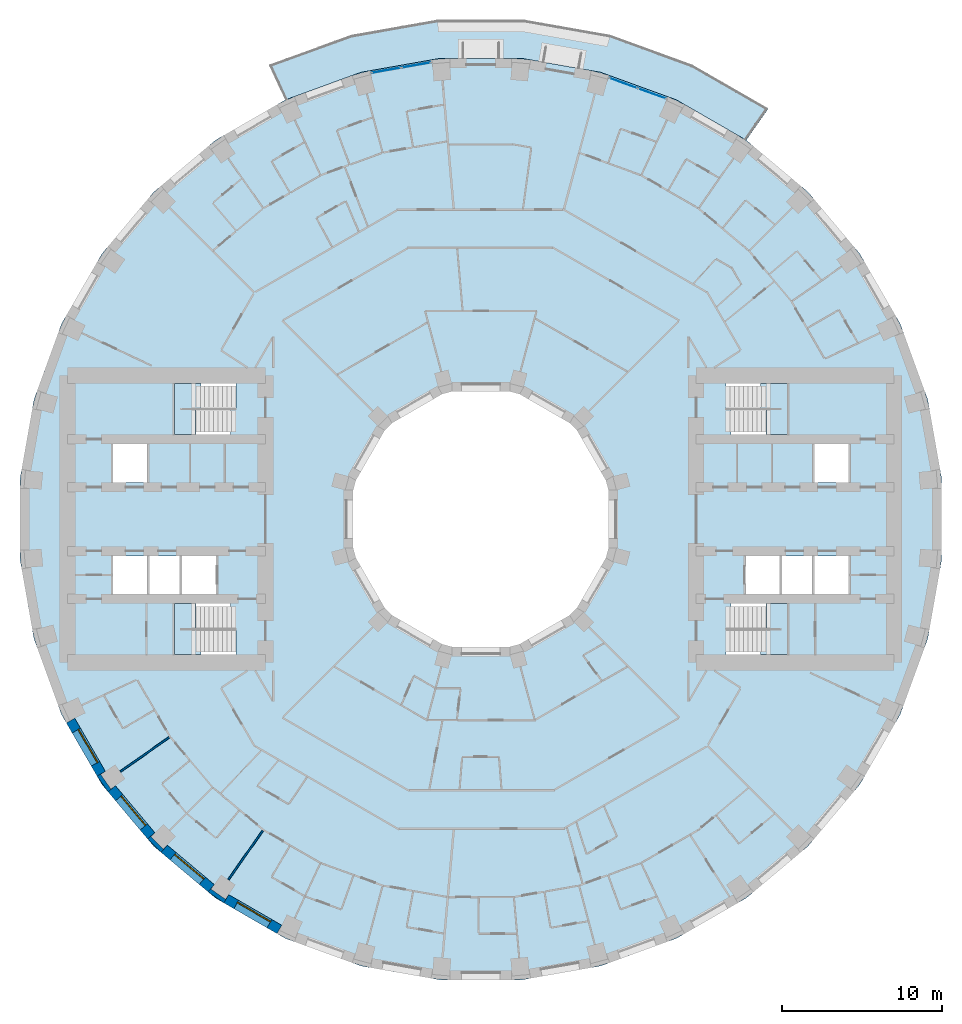
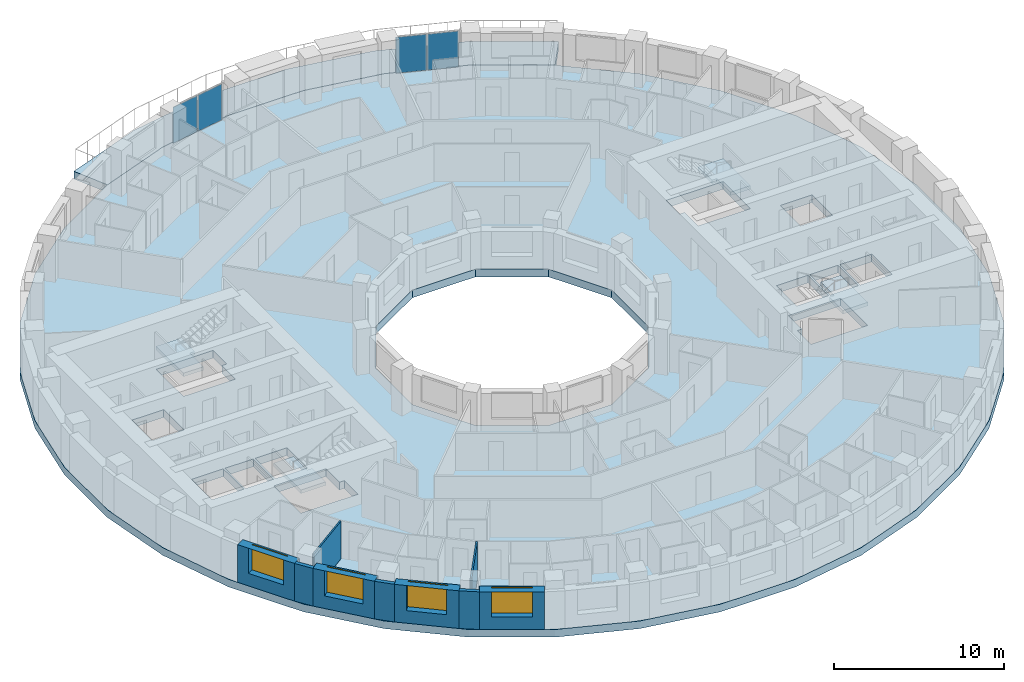
# One storey, part 3 of 15: 9 walls, 6 slabs, 4 plates, 4 windows, 4 openings, 6 elements without a shape of their own.
"""IFC4 building model written with IfcOpenShell, lengths in metres."""

from ifc_helpers import new_model, si_unit, direction, frame, frame_2d, origin, origin_2d, place, context, subcontext, project, spatial, polyline, rectangle, outline, extrude, material, layer, layer_set, type_object, element, fill, aggregate, save


model = new_model("IFC4")

# Units and contexts
model_context = context("Model", 3, precision=1e-05, world=origin(), true_north=direction((0.0, 1.0)))
body_context = subcontext(model_context, "Body", "Model", "MODEL_VIEW")
ifc_project = project(units=[si_unit("LENGTHUNIT", "METRE"), si_unit("AREAUNIT", "SQUARE_METRE"), si_unit("VOLUMEUNIT", "CUBIC_METRE"), si_unit("PLANEANGLEUNIT", "RADIAN"), si_unit("MASSUNIT", "GRAM", prefix="KILO")], contexts=[model_context])

# Site, building, storey
site_placement = place(None, origin())
site = spatial("IfcSite", under=ifc_project, at=site_placement, CompositionType="ELEMENT")
building_placement = place(site_placement, origin())
building = spatial("IfcBuilding", under=site, at=building_placement, Name="Saqina Gate Tower", CompositionType="ELEMENT")
storey_placement = place(building_placement, frame((0.0, 0.0, 79.10009765625)))
storey = spatial("IfcBuildingStorey", under=building, at=storey_placement, Name="L22", CompositionType="ELEMENT", Elevation=79.10009765625)

# Curtain wall, plates
ifc_material_1 = material(Name="Aluminium glazing", Category="aluminium")
ifc_layer_1 = layer(ifc_material_1, 0.159912109375)
ifc_layer_set_1 = layer_set([ifc_layer_1], Name="CWT-4")
curtain_wall_type = type_object("IfcCurtainWallType", Name="CWT-4", PredefinedType="NOTDEFINED", material=ifc_layer_set_1)
curtain_wall_1_placement = place(storey_placement, origin())
curtain_wall_1 = element("IfcCurtainWall", 1, at=curtain_wall_1_placement, inside=storey, type_object=curtain_wall_type, Name="Terrace lounge glazing facet 7", PredefinedType="NOTDEFINED")
ifc_material_2 = material(Name="Glass", Category="glass")
ifc_layer_2 = layer(ifc_material_2, 0.028076171875)
ifc_layer_set_2 = layer_set([ifc_layer_2], Name="CWT-4P")
plate_type = type_object("IfcPlateType", Name="CWT-4P", PredefinedType="CURTAIN_PANEL", material=ifc_layer_set_2)
plate_1_placement = place(storey_placement, frame((10.718994140625, 26.682861328125, 0.059814453125), z_axis=(0.0, 0.0, 1.0), x_axis=(-0.939696968811, 0.34200819699, 0.0)))
plate_1 = element("IfcPlate", 2, at=plate_1_placement, type_object=plate_type, Name="CW4-07 panel 1.1", PredefinedType="CURTAIN_PANEL", context=body_context, shape_type="SweptSolid", body=[
    extrude(rectangle(XDim=1.8330078125, YDim=0.028076171875, at=origin_2d()), origin(), (0.0, 0.0, 1.0), 2.580078125),
])
plate_2_placement = place(storey_placement, frame((8.940185546875, 27.330078125, 0.059814453125), z_axis=(0.0, 0.0, 1.0), x_axis=(-0.939696968811, 0.34200819699, 0.0)))
plate_2 = element("IfcPlate", 3, at=plate_2_placement, type_object=plate_type, Name="CW4-07 panel 2.1", PredefinedType="CURTAIN_PANEL", context=body_context, shape_type="SweptSolid", body=[
    extrude(rectangle(XDim=1.8330078125, YDim=0.028076171875, at=origin_2d()), origin(), (0.0, 0.0, 1.0), 2.580078125),
])
aggregate(curtain_wall_1, [plate_1, plate_2])

curtain_wall_2_placement = place(storey_placement, origin())
curtain_wall_2 = element("IfcCurtainWall", 4, at=curtain_wall_2_placement, inside=storey, type_object=curtain_wall_type, Name="Terrace lounge glazing facet 10", PredefinedType="NOTDEFINED")
plate_3_placement = place(storey_placement, frame((-4.05859375, 28.46728515625, 0.059814453125), z_axis=(0.0, 0.0, 1.0), x_axis=(-0.984808678199, -0.17364293059, 0.0)))
plate_3 = element("IfcPlate", 5, at=plate_3_placement, type_object=plate_type, Name="CW4-10 panel 1.1", PredefinedType="CURTAIN_PANEL", context=body_context, shape_type="SweptSolid", body=[
    extrude(rectangle(XDim=1.8330078125, YDim=0.028076171875, at=origin_2d()), origin(), (0.0, 0.0, 1.0), 2.580078125),
])
plate_4_placement = place(storey_placement, frame((-5.922607421875, 28.138671875, 0.059814453125), z_axis=(0.0, 0.0, 1.0), x_axis=(-0.984808678199, -0.17364293059, 0.0)))
plate_4 = element("IfcPlate", 6, at=plate_4_placement, type_object=plate_type, Name="CW4-10 panel 2.1", PredefinedType="CURTAIN_PANEL", context=body_context, shape_type="SweptSolid", body=[
    extrude(rectangle(XDim=1.8330078125, YDim=0.028076171875, at=origin_2d()), origin(), (0.0, 0.0, 1.0), 2.580078125),
])
aggregate(curtain_wall_2, [plate_3, plate_4])

# Stair, slab
ifc_material_3 = material(Name="Concrete C40/50", Category="concrete")
stair_type = type_object("IfcStairType", Name="EXIT STAIR", PredefinedType="HALF_TURN_STAIR", material=ifc_material_3)
stair_1_placement = place(storey_placement, origin())
stair_1 = element("IfcStair", 7, at=stair_1_placement, inside=storey, type_object=stair_type, Name="EXIT STAIR 1", PredefinedType="HALF_TURN_STAIR")
ifc_material_4 = material(Name="Concrete C40/50", Category="concrete")
ifc_layer_3 = layer(ifc_material_4, 0.25)
ifc_layer_set_3 = layer_set([ifc_layer_3], Name="Concrete C40/50")
slab_type_1 = type_object("IfcSlabType", Name="EXIT STAIR LANDING", PredefinedType="LANDING", material=ifc_layer_set_3)
slab_1_placement = place(storey_placement, frame((0.0, 0.0, 1.39990234375)))
slab_1 = element("IfcSlab", 8, at=slab_1_placement, type_object=slab_type_1, Name="EXIT STAIR 1 LANDING 1", PredefinedType="LANDING", context=body_context, shape_type="SweptSolid", body=[
    extrude(outline(polyline([(19.219970703125, 8.5), (19.219970703125, 5.300048828125), (17.864990234375, 5.300048828125), (17.864990234375, 6.89990234375), (17.534423828125, 6.89990234375), (17.534423828125, 8.5), (17.864990234375, 8.5), (17.8701171875, 8.5), (19.219970703125, 8.5)])), origin(), (0.0, 0.0, 1.0), 0.25),
])
aggregate(stair_1, [slab_1])

stair_2_placement = place(storey_placement, origin())
stair_2 = element("IfcStair", 9, at=stair_2_placement, inside=storey, type_object=stair_type, Name="EXIT STAIR 2", PredefinedType="HALF_TURN_STAIR")
slab_2_placement = place(storey_placement, frame((0.0, 0.0, 1.39990234375)))
slab_2 = element("IfcSlab", 10, at=slab_2_placement, type_object=slab_type_1, Name="EXIT STAIR 2 LANDING 1", PredefinedType="LANDING", context=body_context, shape_type="SweptSolid", body=[
    extrude(outline(polyline([(17.534423828125, -8.5), (17.534423828125, -6.89990234375), (17.864990234375, -6.89990234375), (17.864990234375, -5.300048828125), (19.219970703125, -5.300048828125), (19.219970703125, -8.5), (17.8701171875, -8.5), (17.864990234375, -8.5), (17.534423828125, -8.5)])), origin(), (0.0, 0.0, 1.0), 0.25),
])
aggregate(stair_2, [slab_2])

stair_3_placement = place(storey_placement, origin())
stair_3 = element("IfcStair", 11, at=stair_3_placement, inside=storey, type_object=stair_type, Name="EXIT STAIR 3", PredefinedType="HALF_TURN_STAIR")
slab_3_placement = place(storey_placement, frame((0.0, 0.0, 1.39990234375)))
slab_3 = element("IfcSlab", 12, at=slab_3_placement, type_object=slab_type_1, Name="EXIT STAIR 3 LANDING 1", PredefinedType="LANDING", context=body_context, shape_type="SweptSolid", body=[
    extrude(outline(polyline([(-17.864990234375, 5.300048828125), (-19.219970703125, 5.300048828125), (-19.219970703125, 8.5), (-17.8701171875, 8.5), (-17.864990234375, 8.5), (-17.534423828125, 8.5), (-17.534423828125, 6.89990234375), (-17.864990234375, 6.89990234375), (-17.864990234375, 5.300048828125)])), origin(), (0.0, 0.0, 1.0), 0.25),
])
aggregate(stair_3, [slab_3])

stair_4_placement = place(storey_placement, origin())
stair_4 = element("IfcStair", 13, at=stair_4_placement, inside=storey, type_object=stair_type, Name="EXIT STAIR 4", PredefinedType="HALF_TURN_STAIR")
slab_4_placement = place(storey_placement, frame((0.0, 0.0, 1.39990234375)))
slab_4 = element("IfcSlab", 14, at=slab_4_placement, type_object=slab_type_1, Name="EXIT STAIR 4 LANDING 1", PredefinedType="LANDING", context=body_context, shape_type="SweptSolid", body=[
    extrude(outline(polyline([(-17.534423828125, -6.89990234375), (-17.534423828125, -8.5), (-17.864990234375, -8.5), (-17.8701171875, -8.5), (-19.219970703125, -8.5), (-19.219970703125, -5.300048828125), (-17.864990234375, -5.300048828125), (-17.864990234375, -6.89990234375), (-17.534423828125, -6.89990234375)])), origin(), (0.0, 0.0, 1.0), 0.25),
])
aggregate(stair_4, [slab_4])

# Slabs
ifc_material_5 = material(Name="Concrete C40/50", Category="concrete")
ifc_layer_4 = layer(ifc_material_5, 0.550048828125)
ifc_layer_set_4 = layer_set([ifc_layer_4], Name="Concrete C40/50")
slab_type_2 = type_object("IfcSlabType", Name="STR-POST-TENSIONED FLAT PLATE FLOOR-550", PredefinedType="FLOOR", material=ifc_layer_set_4)
slab_5_placement = place(storey_placement, frame((0.0, 0.0, -0.550048828125)))
element("IfcSlab", 15, at=slab_5_placement, inside=storey, type_object=slab_type_2, Name="L22-SLB01", PredefinedType="FLOOR", context=body_context, shape_type="SweptSolid", body=[
    extrude(outline(polyline([(28.011962890625, -7.505859375), (28.8896484375, -2.527587890625), (28.8896484375, 2.527587890625), (28.011962890625, 7.505859375), (26.282958984375, 12.255859375), (23.75537109375, 16.6337890625), (20.506103515625, 20.506103515625), (16.6337890625, 23.75537109375), (12.255859375, 26.282958984375), (7.505859375, 28.011962890625), (2.527587890625, 28.8896484375), (-2.527587890625, 28.8896484375), (-7.505859375, 28.011962890625), (-12.255859375, 26.282958984375), (-16.6337890625, 23.75537109375), (-20.506103515625, 20.506103515625), (-23.75537109375, 16.6337890625), (-26.282958984375, 12.255859375), (-28.011962890625, 7.505859375), (-28.8896484375, 2.527587890625), (-28.8896484375, -2.527587890625), (-28.011962890625, -7.505859375), (-26.282958984375, -12.255859375), (-23.75537109375, -16.6337890625), (-20.506103515625, -20.506103515625), (-16.6337890625, -23.75537109375), (-12.255859375, -26.282958984375), (-7.505859375, -28.011962890625), (-2.527587890625, -28.8896484375), (2.527587890625, -28.8896484375), (7.505859375, -28.011962890625), (12.255859375, -26.282958984375), (16.6337890625, -23.75537109375), (20.506103515625, -20.506103515625), (23.75537109375, -16.6337890625), (26.282958984375, -12.255859375), (28.011962890625, -7.505859375)]), holes=[polyline([(2.1435546875, 8.0), (5.8564453125, 5.8564453125), (8.0, 2.1435546875), (8.0, -2.1435546875), (5.8564453125, -5.8564453125), (2.1435546875, -8.0), (-2.1435546875, -8.0), (-5.8564453125, -5.8564453125), (-8.0, -2.1435546875), (-8.0, 2.1435546875), (-5.8564453125, 5.8564453125), (-2.1435546875, 8.0), (2.1435546875, 8.0)]), polyline([(-19.219970703125, -8.5), (-19.219970703125, -6.89990234375), (-19.219970703125, -5.300048828125), (-15.685546875, -5.300048828125), (-15.685546875, -6.89990234375), (-15.35498046875, -6.89990234375), (-15.35498046875, -8.5), (-19.219970703125, -8.5)]), polyline([(-20.89990234375, -2.300048828125), (-20.89990234375, -4.699951171875), (-23.06005859375, -4.699951171875), (-23.06005859375, -2.300048828125), (-20.89990234375, -2.300048828125)]), polyline([(-18.8701171875, -2.300048828125), (-18.8701171875, -4.699951171875), (-20.780029296875, -4.699951171875), (-20.780029296875, -2.300048828125), (-18.8701171875, -2.300048828125)]), polyline([(-16.590087890625, -2.300048828125), (-16.590087890625, -4.699951171875), (-18.75, -4.699951171875), (-18.75, -2.300048828125), (-16.590087890625, -2.300048828125)]), polyline([(-20.89990234375, 4.699951171875), (-20.89990234375, 2.300048828125), (-23.06005859375, 2.300048828125), (-23.06005859375, 4.699951171875), (-20.89990234375, 4.699951171875)]), polyline([(-19.219970703125, 6.89990234375), (-19.219970703125, 8.5), (-15.35498046875, 8.5), (-15.35498046875, 6.89990234375), (-15.685546875, 6.89990234375), (-15.685546875, 5.300048828125), (-19.219970703125, 5.300048828125), (-19.219970703125, 6.89990234375)]), polyline([(15.35498046875, -6.89990234375), (15.685546875, -6.89990234375), (15.685546875, -5.300048828125), (19.219970703125, -5.300048828125), (19.219970703125, -6.89990234375), (19.219970703125, -8.5), (15.35498046875, -8.5), (15.35498046875, -6.89990234375)]), polyline([(18.75, -2.300048828125), (18.75, -4.699951171875), (16.590087890625, -4.699951171875), (16.590087890625, -2.300048828125), (18.75, -2.300048828125)]), polyline([(20.780029296875, -2.300048828125), (20.780029296875, -4.699951171875), (18.8701171875, -4.699951171875), (18.8701171875, -2.300048828125), (20.780029296875, -2.300048828125)]), polyline([(23.06005859375, -2.300048828125), (23.06005859375, -4.699951171875), (20.89990234375, -4.699951171875), (20.89990234375, -2.300048828125), (23.06005859375, -2.300048828125)]), polyline([(23.06005859375, 4.699951171875), (23.06005859375, 2.300048828125), (20.89990234375, 2.300048828125), (20.89990234375, 4.699951171875), (23.06005859375, 4.699951171875)]), polyline([(15.685546875, 6.89990234375), (15.35498046875, 6.89990234375), (15.35498046875, 8.5), (19.219970703125, 8.5), (19.219970703125, 6.89990234375), (19.219970703125, 5.300048828125), (15.685546875, 5.300048828125), (15.685546875, 6.89990234375)])]), origin(), (0.0, 0.0, 1.0), 0.550048828125),
])
ifc_material_6 = material(Name="Concrete C40/50", Category="concrete")
ifc_layer_5 = layer(ifc_material_6, 0.550048828125)
ifc_layer_set_5 = layer_set([ifc_layer_5], Name="Concrete C40/50")
slab_type_3 = type_object("IfcSlabType", Name="STR-POST-TENSIONED FLAT PLATE TERRACE-550", PredefinedType="FLOOR", material=ifc_layer_set_5)
slab_6_placement = place(storey_placement, frame((0.0, 0.0, -0.550048828125)))
element("IfcSlab", 16, at=slab_6_placement, inside=storey, type_object=slab_type_3, Name="L22-TRS01", PredefinedType="FLOOR", context=body_context, shape_type="SweptSolid", body=[
    extrude(outline(polyline([(16.6337890625, 23.75537109375), (12.255859375, 26.282958984375), (7.505859375, 28.011962890625), (2.527587890625, 28.8896484375), (-2.527587890625, 28.8896484375), (-7.505859375, 28.011962890625), (-12.255859375, 26.282958984375), (-13.274169921875, 28.46630859375), (-8.12939453125, 30.3388671875), (-2.737548828125, 31.28955078125), (2.737548828125, 31.28955078125), (8.12939453125, 30.3388671875), (13.274169921875, 28.46630859375), (18.015625, 25.72900390625), (16.6337890625, 23.75537109375)])), origin(), (0.0, 0.0, 1.0), 0.550048828125),
])

# Walls
ifc_material_7 = material(Name="Brick masonry (red)", Category="masonry")
wall_type_1 = type_object("IfcWallType", Name="BRICK PIER COPING RED", PredefinedType="SOLIDWALL", material=ifc_material_7)
wall_1_placement = place(storey_placement, origin())
element("IfcWall", 17, at=wall_1_placement, inside=storey, type_object=wall_type_1, Name="Pier cap L22 column 22", PredefinedType="SOLIDWALL", context=body_context, shape_type="SweptSolid", body=[
    extrude(outline(polyline([(-24.0576171875, -16.110107421875), (-23.36669921875, -17.096923828125), (-22.9072265625, -16.711181640625), (-23.194091796875, -16.912109375), (-23.8251953125, -16.010986328125), (-23.5380859375, -15.81005859375), (-24.0576171875, -16.110107421875)])), origin(), (0.0, 0.0, 1.0), 2.699951171875),
])
wall_2_placement = place(storey_placement, origin())
element("IfcWall", 18, at=wall_2_placement, inside=storey, type_object=wall_type_1, Name="Pier cap L22 column 23", PredefinedType="SOLIDWALL", context=body_context, shape_type="SweptSolid", body=[
    extrude(outline(polyline([(-20.04296875, -20.894775390625), (-19.6572265625, -20.43505859375), (-19.905029296875, -20.682861328125), (-20.682861328125, -19.905029296875), (-20.43505859375, -19.6572265625), (-20.894775390625, -20.04296875), (-20.04296875, -20.894775390625)])), origin(), (0.0, 0.0, 1.0), 2.699951171875),
])
wall_3_placement = place(storey_placement, origin())
element("IfcWall", 19, at=wall_3_placement, inside=storey, type_object=wall_type_1, Name="Pier cap L22 column 24", PredefinedType="SOLIDWALL", context=body_context, shape_type="SweptSolid", body=[
    extrude(outline(polyline([(-17.096923828125, -23.36669921875), (-16.110107421875, -24.0576171875), (-15.81005859375, -23.5380859375), (-16.010986328125, -23.8251953125), (-16.912109375, -23.194091796875), (-16.711181640625, -22.9072265625), (-17.096923828125, -23.36669921875)])), origin(), (0.0, 0.0, 1.0), 2.699951171875),
])

# Wall, opening, window
ifc_material_8 = material(Name="Brick masonry (red)", Category="masonry")
ifc_layer_6 = layer(ifc_material_8, 0.60009765625)
ifc_layer_set_6 = layer_set([ifc_layer_6], Name="FW-BRICK-RED")
wall_type_2 = type_object("IfcWallType", Name="FW-BRICK-RED", PredefinedType="SOLIDWALL", material=ifc_layer_set_6)
wall_4_placement = place(storey_placement, frame((-25.720703125, -12.629638671875, 0.0), z_axis=(0.0, 0.0, 1.0), x_axis=(0.499989888488, -0.86603124159, 0.0)))
wall_4 = element("IfcWall", 20, at=wall_4_placement, inside=storey, type_object=wall_type_2, Name="Facade wall L22 facet 21", PredefinedType="SOLIDWALL", context=body_context, shape_type="SweptSolid", body=[
    extrude(rectangle(XDim=3.845703125, YDim=0.60009765625, at=frame_2d((1.9228515625, 0.0))), origin(), (0.0, 0.0, 1.0), 2.699951171875),
])
opening_1_placement = place(wall_4_placement, frame((0.722900390625, 0.0, 0.89990234375)))
opening_1 = element("IfcOpeningElement", 21, at=opening_1_placement, cuts=wall_4, Name="Opening G06-W10", PredefinedType="OPENING", context=body_context, shape_type="SweptSolid", body=[
    extrude(rectangle(XDim=2.39990234375, YDim=1.800048828125, at=frame_2d((1.199951171875, 0.89990234375))), frame((0.0, 0.31201171875, 0.0), z_axis=(0.0, -1.0, 0.0), x_axis=(1.0, 0.0, 0.0)), (0.0, 0.0, 1.0), 0.6240234375),
])
ifc_material_9 = material(Name="Aluminium glazing", Category="aluminium")
window_type = type_object("IfcWindowType", Name="WN-A", PartitioningType="SINGLE_PANEL", PredefinedType="WINDOW", material=ifc_material_9)
window_1_placement = place(opening_1_placement, origin())
window_1 = element("IfcWindow", 22, at=window_1_placement, inside=storey, type_object=window_type, Name="Window L22 facet 21", OverallHeight=1.800048828125, OverallWidth=2.39990234375, PartitioningType="SINGLE_PANEL", PredefinedType="WINDOW", context=body_context, shape_type="SweptSolid", body=[
    extrude(rectangle(XDim=2.39990234375, YDim=1.800048828125, at=frame_2d((1.199951171875, 0.89990234375))), frame((0.0, 0.179931640625, 0.0), z_axis=(0.0, -1.0, 0.0), x_axis=(1.0, 0.0, 0.0)), (0.0, 0.0, 1.0), 0.06005859375),
])
fill(opening_1, window_1)

wall_5_placement = place(storey_placement, frame((-23.136962890625, -16.904052734375, 0.0), z_axis=(0.0, 0.0, 1.0), x_axis=(0.642809392687, -0.766026164483, 0.0)))
wall_5 = element("IfcWall", 23, at=wall_5_placement, inside=storey, type_object=wall_type_2, Name="Facade wall L22 facet 22", PredefinedType="SOLIDWALL", context=body_context, shape_type="SweptSolid", body=[
    extrude(rectangle(XDim=3.845947265625, YDim=0.60009765625, at=frame_2d((1.9228515625, 0.0))), origin(), (0.0, 0.0, 1.0), 2.699951171875),
])
opening_2_placement = place(wall_5_placement, frame((0.722900390625, 0.0, 0.89990234375)))
opening_2 = element("IfcOpeningElement", 24, at=opening_2_placement, cuts=wall_5, Name="Opening G06-W11", PredefinedType="OPENING", context=body_context, shape_type="SweptSolid", body=[
    extrude(rectangle(XDim=2.39990234375, YDim=1.800048828125, at=frame_2d((1.199951171875, 0.89990234375))), frame((0.0, 0.31201171875, 0.0), z_axis=(0.0, -1.0, 0.0), x_axis=(1.0, 0.0, 0.0)), (0.0, 0.0, 1.0), 0.6240234375),
])
window_2_placement = place(opening_2_placement, origin())
window_2 = element("IfcWindow", 25, at=window_2_placement, inside=storey, type_object=window_type, Name="Window L22 facet 22", OverallHeight=1.800048828125, OverallWidth=2.39990234375, PartitioningType="SINGLE_PANEL", PredefinedType="WINDOW", context=body_context, shape_type="SweptSolid", body=[
    extrude(rectangle(XDim=2.39990234375, YDim=1.800048828125, at=frame_2d((1.199951171875, 0.89990234375))), frame((0.0, 0.179931640625, 0.0), z_axis=(0.0, -1.0, 0.0), x_axis=(1.0, 0.0, 0.0)), (0.0, 0.0, 1.0), 0.06005859375),
])
fill(opening_2, window_2)

wall_6_placement = place(storey_placement, frame((-19.85009765625, -20.664794921875, 0.0), z_axis=(0.0, 0.0, 1.0), x_axis=(0.766026164483, -0.642809392687, 0.0)))
wall_6 = element("IfcWall", 26, at=wall_6_placement, inside=storey, type_object=wall_type_2, Name="Facade wall L22 facet 23", PredefinedType="SOLIDWALL", context=body_context, shape_type="SweptSolid", body=[
    extrude(rectangle(XDim=3.845947265625, YDim=0.60009765625, at=frame_2d((1.9228515625, 0.0))), origin(), (0.0, 0.0, 1.0), 2.699951171875),
])
opening_3_placement = place(wall_6_placement, frame((0.722900390625, 0.0, 0.89990234375)))
opening_3 = element("IfcOpeningElement", 27, at=opening_3_placement, cuts=wall_6, Name="Opening G06-W12", PredefinedType="OPENING", context=body_context, shape_type="SweptSolid", body=[
    extrude(rectangle(XDim=2.39990234375, YDim=1.800048828125, at=frame_2d((1.199951171875, 0.89990234375))), frame((0.0, 0.31201171875, 0.0), z_axis=(0.0, -1.0, 0.0), x_axis=(1.0, 0.0, 0.0)), (0.0, 0.0, 1.0), 0.6240234375),
])
window_3_placement = place(opening_3_placement, origin())
window_3 = element("IfcWindow", 28, at=window_3_placement, inside=storey, type_object=window_type, Name="Window L22 facet 23", OverallHeight=1.800048828125, OverallWidth=2.39990234375, PartitioningType="SINGLE_PANEL", PredefinedType="WINDOW", context=body_context, shape_type="SweptSolid", body=[
    extrude(rectangle(XDim=2.39990234375, YDim=1.800048828125, at=frame_2d((1.199951171875, 0.89990234375))), frame((0.0, 0.179931640625, 0.0), z_axis=(0.0, -1.0, 0.0), x_axis=(1.0, 0.0, 0.0)), (0.0, 0.0, 1.0), 0.06005859375),
])
fill(opening_3, window_3)

wall_7_placement = place(storey_placement, frame((-15.960205078125, -23.7978515625, 0.0), z_axis=(0.0, 0.0, 1.0), x_axis=(0.86603124159, -0.499989888488, 0.0)))
wall_7 = element("IfcWall", 29, at=wall_7_placement, inside=storey, type_object=wall_type_2, Name="Facade wall L22 facet 24", PredefinedType="SOLIDWALL", context=body_context, shape_type="SweptSolid", body=[
    extrude(rectangle(XDim=3.845703125, YDim=0.60009765625, at=frame_2d((1.9228515625, 0.0))), origin(), (0.0, 0.0, 1.0), 2.699951171875),
])
opening_4_placement = place(wall_7_placement, frame((0.722900390625, 0.0, 0.89990234375)))
opening_4 = element("IfcOpeningElement", 30, at=opening_4_placement, cuts=wall_7, Name="Opening G06-W13", PredefinedType="OPENING", context=body_context, shape_type="SweptSolid", body=[
    extrude(rectangle(XDim=2.39990234375, YDim=1.800048828125, at=frame_2d((1.199951171875, 0.89990234375))), frame((0.0, 0.31201171875, 0.0), z_axis=(0.0, -1.0, 0.0), x_axis=(1.0, 0.0, 0.0)), (0.0, 0.0, 1.0), 0.6240234375),
])
window_4_placement = place(opening_4_placement, origin())
window_4 = element("IfcWindow", 31, at=window_4_placement, inside=storey, type_object=window_type, Name="Window L22 facet 24", OverallHeight=1.800048828125, OverallWidth=2.39990234375, PartitioningType="SINGLE_PANEL", PredefinedType="WINDOW", context=body_context, shape_type="SweptSolid", body=[
    extrude(rectangle(XDim=2.39990234375, YDim=1.800048828125, at=frame_2d((1.199951171875, 0.89990234375))), frame((0.0, 0.179931640625, 0.0), z_axis=(0.0, -1.0, 0.0), x_axis=(1.0, 0.0, 0.0)), (0.0, 0.0, 1.0), 0.06005859375),
])
fill(opening_4, window_4)

# Walls
ifc_material_10 = material(Name="Gypsum board on steel studs, 100 mm", Category="steel")
ifc_layer_7 = layer(ifc_material_10, 0.10009765625)
ifc_layer_set_7 = layer_set([ifc_layer_7], Name="PARTITION 100")
wall_type_3 = type_object("IfcWallType", Name="PARTITION 100", PredefinedType="PARTITIONING", material=ifc_layer_set_7)
for number, where, z_axis, x_axis, name in (
    (32, (-22.6005859375, -15.824951171875, 0.0), (0.0, 0.0, 1.0), (0.819152325028, 0.573576035414, 0.0), "PARTITION PW3-84"),
    (33, (-15.824951171875, -22.6005859375, 0.0), (0.0, 0.0, 1.0), (0.573576035414, 0.819152325028, 0.0), "PARTITION PW3-101"),
):
    element("IfcWall", number, at=place(storey_placement, frame(where, z_axis=z_axis, x_axis=x_axis)), inside=storey, type_object=wall_type_3, Name=name, PredefinedType="PARTITIONING", context=body_context, shape_type="SweptSolid", body=[
        extrude(rectangle(XDim=3.7470703125, YDim=0.10009765625, at=frame_2d((1.87353515625, 0.0))), origin(), (0.0, 0.0, 1.0), 2.699951171875),
    ])

save(model, "model.ifc")
